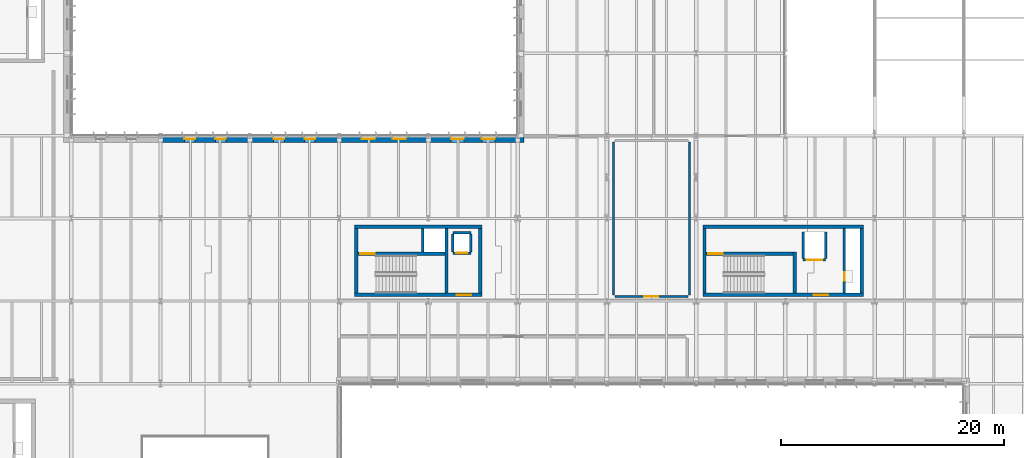
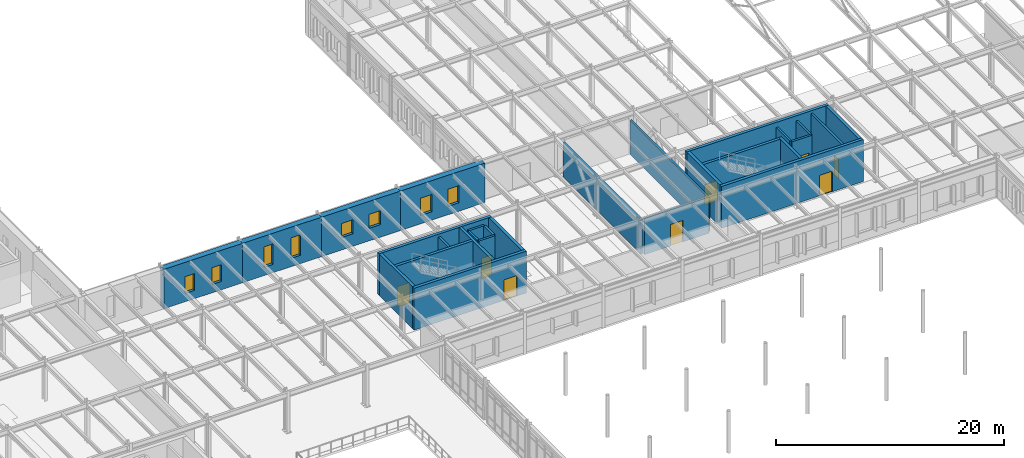
# One storey, part 48 of 75: 28 walls, 8 doors, 8 windows, 16 openings.
"""IFC4 building model written with IfcOpenShell, lengths in metres."""

from ifc_helpers import new_model, si_unit, direction, frame, frame_2d, origin, place, context, subcontext, project, spatial, rectangle, extrude, material, layer, layer_set, type_object, element, fill, save


model = new_model("IFC4")

# Units and contexts
model_context = context("Model", 3, precision=1e-05, world=origin(), true_north=direction((0.0, 1.0)))
body_context = subcontext(model_context, "Body", "Model", "MODEL_VIEW")
ifc_project = project(units=[si_unit("LENGTHUNIT", "METRE"), si_unit("AREAUNIT", "SQUARE_METRE"), si_unit("VOLUMEUNIT", "CUBIC_METRE"), si_unit("PLANEANGLEUNIT", "RADIAN"), si_unit("MASSUNIT", "GRAM", prefix="KILO")], contexts=[model_context])

# Site, building, storey
site_placement = place(None, origin())
site = spatial("IfcSite", under=ifc_project, at=site_placement, CompositionType="ELEMENT")
building_placement = place(site_placement, origin())
building = spatial("IfcBuilding", under=site, at=building_placement, Name="Valkorina Park Police Headquarters", CompositionType="ELEMENT")
storey_placement = place(building_placement, frame((0.0, 0.0, 5.39990234375)))
storey = spatial("IfcBuildingStorey", under=building, at=storey_placement, Name="L02", CompositionType="ELEMENT", Elevation=5.39990234375)

# Wall, opening, door
ifc_material_1 = material(Name="Autoclaved aerated concrete masonry", Category="masonry")
ifc_layer_1 = layer(ifc_material_1, 0.219970703125)
ifc_layer_set_1 = layer_set([ifc_layer_1], Name="Autoclaved aerated concrete masonry")
wall_type_1 = type_object("IfcWallType", Name="WL-CHASE-220-EI60", PredefinedType="PLUMBINGWALL", material=ifc_layer_set_1)
wall_1_placement = place(storey_placement, frame((122.389892578125, 70.2900390625, 0.0), z_axis=(0.0, 0.0, 1.0), x_axis=(1.0, 0.0, 0.0)))
wall_1 = element("IfcWall", 1, at=wall_1_placement, inside=storey, type_object=wall_type_1, Name="Lift LF-07 L02 Shaft Front Wall", PredefinedType="PLUMBINGWALL", context=body_context, shape_type="SweptSolid", body=[
    extrude(rectangle(XDim=2.02001953125, YDim=0.219970703125, at=frame_2d((1.010009765625, 0.0))), origin(), (0.0, 0.0, 1.0), 4.2001953125),
])
opening_1_placement = place(wall_1_placement, frame((0.31005859375, 0.0, 0.0)))
opening_1 = element("IfcOpeningElement", 2, at=opening_1_placement, cuts=wall_1, Name="Opening LD-04", PredefinedType="OPENING", context=body_context, shape_type="SweptSolid", body=[
    extrude(rectangle(XDim=1.39990234375, YDim=2.39990234375, at=frame_2d((0.699951171875, 1.199951171875))), frame((0.0, 0.1201171875, 0.0), z_axis=(0.0, -1.0, 0.0), x_axis=(1.0, 0.0, 0.0)), (0.0, 0.0, 1.0), 0.239990234375),
])
ifc_material_2 = material(Name="Stainless steel EN 1.4404", Category="steel")
ifc_layer_2 = layer(ifc_material_2, 0.050048828125)
ifc_layer_set_2 = layer_set([ifc_layer_2], Name="Stainless steel EN 1.4404")
door_type_1 = type_object("IfcDoorType", Name="DR-LIFT-GOODS-1400x2400", OperationType="NOTDEFINED", PredefinedType="DOOR", material=ifc_layer_set_2)
door_1_placement = place(opening_1_placement, origin())
door_1 = element("IfcDoor", 3, at=door_1_placement, inside=storey, type_object=door_type_1, Name="Lift Landing Door LF-07-L02", OperationType="DOUBLE_DOOR_SLIDING", OverallHeight=2.39990234375, OverallWidth=1.39990234375, PredefinedType="DOOR", context=body_context, shape_type="SweptSolid", body=[
    extrude(rectangle(XDim=1.39990234375, YDim=2.39990234375, at=frame_2d((0.699951171875, 1.199951171875))), frame((0.0, 0.02490234375, 0.0), z_axis=(0.0, -1.0, 0.0), x_axis=(1.0, 0.0, 0.0)), (0.0, 0.0, 1.0), 0.050048828125),
])
fill(opening_1, door_1)

# Walls
for number, where, z_axis, x_axis, name in (
    (4, (122.389892578125, 70.39990234375, 0.0), (0.0, 0.0, 1.0), (0.0, 1.0, 0.0), "Lift LF-07 L02 Shaft Side Wall W"),
    (5, (124.409912109375, 70.39990234375, 0.0), (0.0, 0.0, 1.0), (0.0, 1.0, 0.0), "Lift LF-07 L02 Shaft Side Wall E"),
):
    element("IfcWall", number, at=place(storey_placement, frame(where, z_axis=z_axis, x_axis=x_axis)), inside=storey, type_object=wall_type_1, Name=name, PredefinedType="PLUMBINGWALL", context=body_context, shape_type="SweptSolid", body=[
        extrude(rectangle(XDim=2.400146484375, YDim=0.219970703125, at=frame_2d((1.2001953125, 0.0))), origin(), (0.0, 0.0, 1.0), 4.2001953125),
    ])

# Wall, opening, door
wall_2_placement = place(storey_placement, frame((126.090087890625, 67.300048828125, 0.0), z_axis=(0.0, 0.0, 1.0), x_axis=(0.0, 1.0, 0.0)))
wall_2 = element("IfcWall", 6, at=wall_2_placement, inside=storey, type_object=wall_type_1, Name="Core C5 L02 Riser Shaft West Wall", PredefinedType="PLUMBINGWALL", context=body_context, shape_type="SweptSolid", body=[
    extrude(rectangle(XDim=5.800048828125, YDim=0.219970703125, at=frame_2d((2.89990234375, 0.0))), origin(), (0.0, 0.0, 1.0), 4.2001953125),
])
opening_2_placement = place(wall_2_placement, frame((1.10009765625, 0.0, 0.0)))
opening_2 = element("IfcOpeningElement", 7, at=opening_2_placement, cuts=wall_2, Name="Opening ID-01", PredefinedType="OPENING", context=body_context, shape_type="SweptSolid", body=[
    extrude(rectangle(XDim=0.800048828125, YDim=2.10009765625, at=frame_2d((0.39990234375, 1.050048828125))), frame((0.0, 0.1201171875, 0.0), z_axis=(0.0, -1.0, 0.0), x_axis=(1.0, 0.0, 0.0)), (0.0, 0.0, 1.0), 0.239990234375),
])
ifc_material_3 = material(Name="Galvanized steel door leaf", Category="steel")
ifc_layer_3 = layer(ifc_material_3, 0.050048828125)
ifc_layer_set_3 = layer_set([ifc_layer_3], Name="Galvanized steel door leaf")
door_type_2 = type_object("IfcDoorType", Name="DR-INT-RISER-800x2100", OperationType="NOTDEFINED", PredefinedType="DOOR", material=ifc_layer_set_3)
door_2_placement = place(opening_2_placement, origin())
door_2 = element("IfcDoor", 8, at=door_2_placement, inside=storey, type_object=door_type_2, Name="Riser Shaft Access Door C5-L02", OperationType="SINGLE_SWING_RIGHT", OverallHeight=2.10009765625, OverallWidth=0.800048828125, PredefinedType="DOOR", context=body_context, shape_type="SweptSolid", body=[
    extrude(rectangle(XDim=0.800048828125, YDim=2.10009765625, at=frame_2d((0.39990234375, 1.050048828125))), frame((0.0, 0.02490234375, 0.0), z_axis=(0.0, -1.0, 0.0), x_axis=(1.0, 0.0, 0.0)), (0.0, 0.0, 1.0), 0.050048828125),
])
fill(opening_2, door_2)

wall_3_placement = place(storey_placement, frame((90.989990234375, 70.889892578125, 0.0), z_axis=(0.0, 0.0, 1.0), x_axis=(1.0, 0.0, 0.0)))
wall_3 = element("IfcWall", 9, at=wall_3_placement, inside=storey, type_object=wall_type_1, Name="Lift LF-08 L02 Shaft Front Wall", PredefinedType="PLUMBINGWALL", context=body_context, shape_type="SweptSolid", body=[
    extrude(rectangle(XDim=1.6201171875, YDim=0.219970703125, at=frame_2d((0.81005859375, 0.0))), origin(), (0.0, 0.0, 1.0), 4.2001953125),
])
opening_3_placement = place(wall_3_placement, frame((0.31005859375, 0.0, 0.0)))
opening_3 = element("IfcOpeningElement", 10, at=opening_3_placement, cuts=wall_3, Name="Opening LD-02", PredefinedType="OPENING", context=body_context, shape_type="SweptSolid", body=[
    extrude(rectangle(XDim=1.0, YDim=2.199951171875, at=frame_2d((0.5, 1.10009765625))), frame((0.0, 0.1201171875, 0.0), z_axis=(0.0, -1.0, 0.0), x_axis=(1.0, 0.0, 0.0)), (0.0, 0.0, 1.0), 0.239990234375),
])
ifc_layer_4 = layer(ifc_material_2, 0.050048828125)
ifc_layer_set_4 = layer_set([ifc_layer_4], Name="Stainless steel EN 1.4404")
door_type_3 = type_object("IfcDoorType", Name="DR-LIFT-PAX-1000x2200", OperationType="NOTDEFINED", PredefinedType="DOOR", material=ifc_layer_set_4)
door_3_placement = place(opening_3_placement, origin())
door_3 = element("IfcDoor", 11, at=door_3_placement, inside=storey, type_object=door_type_3, Name="Lift Landing Door LF-08-L02", OperationType="DOUBLE_DOOR_SLIDING", OverallHeight=2.199951171875, OverallWidth=1.0, PredefinedType="DOOR", context=body_context, shape_type="SweptSolid", body=[
    extrude(rectangle(XDim=1.0, YDim=2.199951171875, at=frame_2d((0.5, 1.10009765625))), frame((0.0, 0.02490234375, 0.0), z_axis=(0.0, -1.0, 0.0), x_axis=(1.0, 0.0, 0.0)), (0.0, 0.0, 1.0), 0.050048828125),
])
fill(opening_3, door_3)

# Walls
wall_4_placement = place(storey_placement, frame((90.989990234375, 72.7099609375, 0.0), z_axis=(0.0, 0.0, 1.0), x_axis=(1.0, 0.0, 0.0)))
element("IfcWall", 12, at=wall_4_placement, inside=storey, type_object=wall_type_1, Name="Lift LF-08 L02 Shaft Back Wall", PredefinedType="PLUMBINGWALL", context=body_context, shape_type="SweptSolid", body=[
    extrude(rectangle(XDim=1.6201171875, YDim=0.219970703125, at=frame_2d((0.81005859375, 0.0))), origin(), (0.0, 0.0, 1.0), 4.2001953125),
])
for number, where, z_axis, x_axis, name in (
    (13, (90.989990234375, 71.0, 0.0), (0.0, 0.0, 1.0), (0.0, 1.0, 0.0), "Lift LF-08 L02 Shaft Side Wall W"),
    (14, (92.610107421875, 71.0, 0.0), (0.0, 0.0, 1.0), (0.0, 1.0, 0.0), "Lift LF-08 L02 Shaft Side Wall E"),
):
    element("IfcWall", number, at=place(storey_placement, frame(where, z_axis=z_axis, x_axis=x_axis)), inside=storey, type_object=wall_type_1, Name=name, PredefinedType="PLUMBINGWALL", context=body_context, shape_type="SweptSolid", body=[
        extrude(rectangle(XDim=1.60009765625, YDim=0.219970703125, at=frame_2d((0.800048828125, 0.0))), origin(), (0.0, 0.0, 1.0), 4.2001953125),
    ])
wall_5_placement = place(storey_placement, frame((88.2900390625, 70.97998046875, 0.0), z_axis=(0.0, 0.0, 1.0), x_axis=(0.0, 1.0, 0.0)))
element("IfcWall", 15, at=wall_5_placement, inside=storey, type_object=wall_type_1, Name="Core C6 L02 Riser Shaft West Wall", PredefinedType="PLUMBINGWALL", context=body_context, shape_type="SweptSolid", body=[
    extrude(rectangle(XDim=2.1201171875, YDim=0.219970703125, at=frame_2d((1.06005859375, 0.0))), origin(), (0.0, 0.0, 1.0), 4.2001953125),
])

# Wall, opening, door
ifc_material_4 = material(Name="Concrete C40/50", Category="concrete")
ifc_layer_5 = layer(ifc_material_4, 0.300048828125)
ifc_layer_set_5 = layer_set([ifc_layer_5], Name="Concrete C40/50")
wall_type_2 = type_object("IfcWallType", Name="WL-CORE-300-REI120", PredefinedType="SHEAR", material=ifc_layer_set_5)
wall_6_placement = place(storey_placement, frame((113.39990234375, 67.14990234375, 0.0), z_axis=(0.0, 0.0, 1.0), x_axis=(1.0, 0.0, 0.0)))
wall_6 = element("IfcWall", 16, at=wall_6_placement, inside=storey, type_object=wall_type_2, Name="Core C5 L02 Shear Wall S", PredefinedType="SHEAR", context=body_context, shape_type="SweptSolid", body=[
    extrude(rectangle(XDim=14.400146484375, YDim=0.300048828125, at=frame_2d((7.2001953125, 0.0))), origin(), (0.0, 0.0, 1.0), 4.4951171875),
])
opening_4_placement = place(wall_6_placement, frame((9.949951171875, 0.0, 0.0)))
opening_4 = element("IfcOpeningElement", 17, at=opening_4_placement, cuts=wall_6, Name="Opening FD-03", PredefinedType="OPENING", context=body_context, shape_type="SweptSolid", body=[
    extrude(rectangle(XDim=1.300048828125, YDim=2.199951171875, at=frame_2d((0.64990234375, 1.10009765625))), frame((0.0, 0.16015625, 0.0), z_axis=(0.0, -1.0, 0.0), x_axis=(1.0, 0.0, 0.0)), (0.0, 0.0, 1.0), 0.320068359375),
])
ifc_layer_6 = layer(ifc_material_3, 0.050048828125)
ifc_layer_set_6 = layer_set([ifc_layer_6], Name="Galvanized steel door leaf")
door_type_4 = type_object("IfcDoorType", Name="DR-FIRE-STAIR-1300x2200", OperationType="NOTDEFINED", PredefinedType="DOOR", material=ifc_layer_set_6)
door_4_placement = place(opening_4_placement, origin())
door_4 = element("IfcDoor", 18, at=door_4_placement, inside=storey, type_object=door_type_4, Name="Door D-L02-LBY-C5 (Core C5 Lobby Fire Door)", OperationType="SINGLE_SWING_LEFT", OverallHeight=2.199951171875, OverallWidth=1.300048828125, PredefinedType="DOOR", context=body_context, shape_type="SweptSolid", body=[
    extrude(rectangle(XDim=1.300048828125, YDim=2.199951171875, at=frame_2d((0.64990234375, 1.10009765625))), frame((0.0, 0.02490234375, 0.0), z_axis=(0.0, -1.0, 0.0), x_axis=(1.0, 0.0, 0.0)), (0.0, 0.0, 1.0), 0.050048828125),
])
fill(opening_4, door_4)

# Walls
wall_7_placement = place(storey_placement, frame((113.39990234375, 73.25, 0.0), z_axis=(0.0, 0.0, 1.0), x_axis=(1.0, 0.0, 0.0)))
element("IfcWall", 19, at=wall_7_placement, inside=storey, type_object=wall_type_2, Name="Core C5 L02 Shear Wall N", PredefinedType="SHEAR", context=body_context, shape_type="SweptSolid", body=[
    extrude(rectangle(XDim=14.400146484375, YDim=0.300048828125, at=frame_2d((7.2001953125, 0.0))), origin(), (0.0, 0.0, 1.0), 4.4951171875),
])
for number, where, z_axis, x_axis, name in (
    (20, (113.550048828125, 67.300048828125, 0.0), (0.0, 0.0, 1.0), (0.0, 1.0, 0.0), "Core C5 L02 Shear Wall W"),
    (21, (127.64990234375, 67.300048828125, 0.0), (0.0, 0.0, 1.0), (0.0, 1.0, 0.0), "Core C5 L02 Shear Wall E"),
):
    element("IfcWall", number, at=place(storey_placement, frame(where, z_axis=z_axis, x_axis=x_axis)), inside=storey, type_object=wall_type_2, Name=name, PredefinedType="SHEAR", context=body_context, shape_type="SweptSolid", body=[
        extrude(rectangle(XDim=5.800048828125, YDim=0.300048828125, at=frame_2d((2.89990234375, 0.0))), origin(), (0.0, 0.0, 1.0), 4.4951171875),
    ])

# Wall, opening, door
wall_8_placement = place(storey_placement, frame((82.199951171875, 67.14990234375, 0.0), z_axis=(0.0, 0.0, 1.0), x_axis=(1.0, 0.0, 0.0)))
wall_8 = element("IfcWall", 22, at=wall_8_placement, inside=storey, type_object=wall_type_2, Name="Core C6 L02 Shear Wall S", PredefinedType="SHEAR", context=body_context, shape_type="SweptSolid", body=[
    extrude(rectangle(XDim=11.400146484375, YDim=0.300048828125, at=frame_2d((5.7001953125, 0.0))), origin(), (0.0, 0.0, 1.0), 4.4951171875),
])
opening_5_placement = place(wall_8_placement, frame((9.14990234375, 0.0, 0.0)))
opening_5 = element("IfcOpeningElement", 23, at=opening_5_placement, cuts=wall_8, Name="Opening FD-03", PredefinedType="OPENING", context=body_context, shape_type="SweptSolid", body=[
    extrude(rectangle(XDim=1.300048828125, YDim=2.199951171875, at=frame_2d((0.64990234375, 1.10009765625))), frame((0.0, 0.16015625, 0.0), z_axis=(0.0, -1.0, 0.0), x_axis=(1.0, 0.0, 0.0)), (0.0, 0.0, 1.0), 0.320068359375),
])
door_5_placement = place(opening_5_placement, origin())
door_5 = element("IfcDoor", 24, at=door_5_placement, inside=storey, type_object=door_type_4, Name="Door D-L02-LBY-C6 (Core C6 Lobby Fire Door)", OperationType="SINGLE_SWING_RIGHT", OverallHeight=2.199951171875, OverallWidth=1.300048828125, PredefinedType="DOOR", context=body_context, shape_type="SweptSolid", body=[
    extrude(rectangle(XDim=1.300048828125, YDim=2.199951171875, at=frame_2d((0.64990234375, 1.10009765625))), frame((0.0, 0.02490234375, 0.0), z_axis=(0.0, -1.0, 0.0), x_axis=(1.0, 0.0, 0.0)), (0.0, 0.0, 1.0), 0.050048828125),
])
fill(opening_5, door_5)

# Walls
wall_9_placement = place(storey_placement, frame((82.199951171875, 73.25, 0.0), z_axis=(0.0, 0.0, 1.0), x_axis=(1.0, 0.0, 0.0)))
element("IfcWall", 25, at=wall_9_placement, inside=storey, type_object=wall_type_2, Name="Core C6 L02 Shear Wall N", PredefinedType="SHEAR", context=body_context, shape_type="SweptSolid", body=[
    extrude(rectangle(XDim=11.400146484375, YDim=0.300048828125, at=frame_2d((5.7001953125, 0.0))), origin(), (0.0, 0.0, 1.0), 4.4951171875),
])
for number, where, z_axis, x_axis, name in (
    (26, (82.35009765625, 67.300048828125, 0.0), (0.0, 0.0, 1.0), (0.0, 1.0, 0.0), "Core C6 L02 Shear Wall W"),
    (27, (93.449951171875, 67.300048828125, 0.0), (0.0, 0.0, 1.0), (0.0, 1.0, 0.0), "Core C6 L02 Shear Wall E"),
):
    element("IfcWall", number, at=place(storey_placement, frame(where, z_axis=z_axis, x_axis=x_axis)), inside=storey, type_object=wall_type_2, Name=name, PredefinedType="SHEAR", context=body_context, shape_type="SweptSolid", body=[
        extrude(rectangle(XDim=5.800048828125, YDim=0.300048828125, at=frame_2d((2.89990234375, 0.0))), origin(), (0.0, 0.0, 1.0), 4.4951171875),
    ])

# Wall, opening, door
ifc_layer_7 = layer(ifc_material_1, 0.199951171875)
ifc_layer_set_7 = layer_set([ifc_layer_7], Name="Autoclaved aerated concrete masonry")
wall_type_3 = type_object("IfcWallType", Name="WL-CORR-200-EI60", PredefinedType="STANDARD", material=ifc_layer_set_7)
wall_10_placement = place(storey_placement, frame((105.5400390625, 67.0, 0.0), z_axis=(0.0, 0.0, 1.0), x_axis=(1.0, 0.0, 0.0)))
wall_10 = element("IfcWall", 28, at=wall_10_placement, inside=storey, type_object=wall_type_3, Name="L02 Interior Partition 0144 (L02-IT-02)", PredefinedType="STANDARD", context=body_context, shape_type="SweptSolid", body=[
    extrude(rectangle(XDim=6.52001953125, YDim=0.199951171875, at=frame_2d((3.260009765625, 0.0))), origin(), (0.0, 0.0, 1.0), 3.860107421875),
])
opening_6_placement = place(wall_10_placement, frame((2.635009765625, 0.0, 0.0)))
opening_6 = element("IfcOpeningElement", 29, at=opening_6_placement, cuts=wall_10, Name="Opening FD-06", PredefinedType="OPENING", context=body_context, shape_type="SweptSolid", body=[
    extrude(rectangle(XDim=1.25, YDim=2.300048828125, at=frame_2d((0.625, 1.14990234375))), frame((0.0, 0.10986328125, 0.0), z_axis=(0.0, -1.0, 0.0), x_axis=(1.0, 0.0, 0.0)), (0.0, 0.0, 1.0), 0.219970703125),
])
ifc_layer_8 = layer(ifc_material_3, 0.050048828125)
ifc_layer_set_8 = layer_set([ifc_layer_8], Name="Galvanized steel door leaf")
door_type_5 = type_object("IfcDoorType", Name="DR-FIRE-LAB-1250x2300", OperationType="NOTDEFINED", PredefinedType="DOOR", material=ifc_layer_set_8)
door_6_placement = place(opening_6_placement, origin())
door_6 = element("IfcDoor", 30, at=door_6_placement, inside=storey, type_object=door_type_5, Name="Door D-L02-I066 (L02-IT-02)", OperationType="SINGLE_SWING_LEFT", OverallHeight=2.300048828125, OverallWidth=1.25, PredefinedType="DOOR", context=body_context, shape_type="SweptSolid", body=[
    extrude(rectangle(XDim=1.25, YDim=2.300048828125, at=frame_2d((0.625, 1.14990234375))), frame((0.0, 0.02490234375, 0.0), z_axis=(0.0, -1.0, 0.0), x_axis=(1.0, 0.0, 0.0)), (0.0, 0.0, 1.0), 0.050048828125),
])
fill(opening_6, door_6)

# Walls
for number, where, z_axis, x_axis, name in (
    (31, (105.39990234375, 67.139892578125, 0.0), (0.0, 0.0, 1.0), (0.0, 1.0, 0.0), "L02 Interior Partition 0146 (L02-IT-02)"),
    (32, (112.199951171875, 67.139892578125, 0.0), (0.0, 0.0, 1.0), (0.0, 1.0, 0.0), "L02 Interior Partition 0147 (L02-IT-02)"),
):
    element("IfcWall", number, at=place(storey_placement, frame(where, z_axis=z_axis, x_axis=x_axis)), inside=storey, type_object=wall_type_3, Name=name, PredefinedType="STANDARD", context=body_context, shape_type="SweptSolid", body=[
        extrude(rectangle(XDim=13.72021484375, YDim=0.199951171875, at=frame_2d((6.860107421875, 0.0))), origin(), (0.0, 0.0, 1.0), 3.670166015625),
    ])

# Wall, openings, windows
ifc_material_5 = material(Name="Concrete C35/45", Category="concrete")
ifc_layer_9 = layer(ifc_material_5, 0.580078125)
ifc_layer_set_9 = layer_set([ifc_layer_9], Name="Concrete C35/45")
wall_type_4 = type_object("IfcWallType", Name="WL-EXT-BOARD-580", PredefinedType="STANDARD", material=ifc_layer_set_9)
wall_11_placement = place(storey_placement, frame((64.800048828125, 81.110107421875, 0.0), z_axis=(0.0, 0.0, 1.0), x_axis=(1.0, 0.0, 0.0)))
wall_11 = element("IfcWall", 33, at=wall_11_placement, inside=storey, type_object=wall_type_4, Name="L02 Architectural Concrete Exterior Wall 0136", PredefinedType="STANDARD", context=body_context, shape_type="SweptSolid", body=[
    extrude(rectangle(XDim=8.0, YDim=0.580078125, at=frame_2d((4.0, 0.0))), origin(), (0.0, 0.0, 1.0), 4.239990234375),
])
opening_7_placement = place(wall_11_placement, frame((2.142578125, 0.0, 0.89990234375)))
opening_7 = element("IfcOpeningElement", 34, at=opening_7_placement, cuts=wall_11, Name="Opening WN-17", PredefinedType="OPENING", context=body_context, shape_type="SweptSolid", body=[
    extrude(rectangle(XDim=0.949951171875, YDim=1.800048828125, at=frame_2d((0.47509765625, 0.89990234375))), frame((0.0, 0.300048828125, 0.0), z_axis=(0.0, -1.0, 0.0), x_axis=(1.0, 0.0, 0.0)), (0.0, 0.0, 1.0), 0.60009765625),
])
opening_8_placement = place(wall_11_placement, frame((4.907470703125, 0.0, 0.89990234375)))
opening_8 = element("IfcOpeningElement", 35, at=opening_8_placement, cuts=wall_11, Name="Opening WN-17", PredefinedType="OPENING", context=body_context, shape_type="SweptSolid", body=[
    extrude(rectangle(XDim=0.949951171875, YDim=1.800048828125, at=frame_2d((0.47509765625, 0.89990234375))), frame((0.0, 0.300048828125, 0.0), z_axis=(0.0, -1.0, 0.0), x_axis=(1.0, 0.0, 0.0)), (0.0, 0.0, 1.0), 0.60009765625),
])
ifc_material_6 = material(Name="Triple low-E insulated glazing", Category="glass")
ifc_layer_10 = layer(ifc_material_6, 0.06005859375)
ifc_layer_set_10 = layer_set([ifc_layer_10], Name="Triple low-E insulated glazing")
window_type_1 = type_object("IfcWindowType", Name="WN-SLOT-950x1800", PartitioningType="SINGLE_PANEL", PredefinedType="WINDOW", material=ifc_layer_set_10)
window_1_placement = place(opening_7_placement, origin())
window_1 = element("IfcWindow", 36, at=window_1_placement, inside=storey, type_object=window_type_1, Name="Window L02-0224", OverallHeight=1.800048828125, OverallWidth=0.949951171875, PartitioningType="SINGLE_PANEL", PredefinedType="WINDOW", context=body_context, shape_type="SweptSolid", body=[
    extrude(rectangle(XDim=0.949951171875, YDim=1.800048828125, at=frame_2d((0.47509765625, 0.89990234375))), frame((0.0, 0.030029296875, 0.0), z_axis=(0.0, -1.0, 0.0), x_axis=(1.0, 0.0, 0.0)), (0.0, 0.0, 1.0), 0.06005859375),
])
fill(opening_7, window_1)
window_2_placement = place(opening_8_placement, origin())
window_2 = element("IfcWindow", 37, at=window_2_placement, inside=storey, type_object=window_type_1, Name="Window L02-0225", OverallHeight=1.800048828125, OverallWidth=0.949951171875, PartitioningType="SINGLE_PANEL", PredefinedType="WINDOW", context=body_context, shape_type="SweptSolid", body=[
    extrude(rectangle(XDim=0.949951171875, YDim=1.800048828125, at=frame_2d((0.47509765625, 0.89990234375))), frame((0.0, 0.030029296875, 0.0), z_axis=(0.0, -1.0, 0.0), x_axis=(1.0, 0.0, 0.0)), (0.0, 0.0, 1.0), 0.06005859375),
])
fill(opening_8, window_2)

wall_12_placement = place(storey_placement, frame((72.800048828125, 81.110107421875, 0.0), z_axis=(0.0, 0.0, 1.0), x_axis=(1.0, 0.0, 0.0)))
wall_12 = element("IfcWall", 38, at=wall_12_placement, inside=storey, type_object=wall_type_4, Name="L02 Architectural Concrete Exterior Wall 0137", PredefinedType="STANDARD", context=body_context, shape_type="SweptSolid", body=[
    extrude(rectangle(XDim=8.0, YDim=0.580078125, at=frame_2d((4.0, 0.0))), origin(), (0.0, 0.0, 1.0), 4.239990234375),
])
opening_9_placement = place(wall_12_placement, frame((2.142578125, 0.0, 0.89990234375)))
opening_9 = element("IfcOpeningElement", 39, at=opening_9_placement, cuts=wall_12, Name="Opening WN-18", PredefinedType="OPENING", context=body_context, shape_type="SweptSolid", body=[
    extrude(rectangle(XDim=0.949951171875, YDim=2.199951171875, at=frame_2d((0.47509765625, 1.10009765625))), frame((0.0, 0.300048828125, 0.0), z_axis=(0.0, -1.0, 0.0), x_axis=(1.0, 0.0, 0.0)), (0.0, 0.0, 1.0), 0.60009765625),
])
opening_10_placement = place(wall_12_placement, frame((4.907470703125, 0.0, 0.89990234375)))
opening_10 = element("IfcOpeningElement", 40, at=opening_10_placement, cuts=wall_12, Name="Opening WN-18", PredefinedType="OPENING", context=body_context, shape_type="SweptSolid", body=[
    extrude(rectangle(XDim=0.949951171875, YDim=2.199951171875, at=frame_2d((0.47509765625, 1.10009765625))), frame((0.0, 0.300048828125, 0.0), z_axis=(0.0, -1.0, 0.0), x_axis=(1.0, 0.0, 0.0)), (0.0, 0.0, 1.0), 0.60009765625),
])
ifc_layer_11 = layer(ifc_material_6, 0.06005859375)
ifc_layer_set_11 = layer_set([ifc_layer_11], Name="Triple low-E insulated glazing")
window_type_2 = type_object("IfcWindowType", Name="WN-SLOT-950x2200", PartitioningType="SINGLE_PANEL", PredefinedType="WINDOW", material=ifc_layer_set_11)
window_3_placement = place(opening_9_placement, origin())
window_3 = element("IfcWindow", 41, at=window_3_placement, inside=storey, type_object=window_type_2, Name="Window L02-0226", OverallHeight=2.199951171875, OverallWidth=0.949951171875, PartitioningType="SINGLE_PANEL", PredefinedType="WINDOW", context=body_context, shape_type="SweptSolid", body=[
    extrude(rectangle(XDim=0.949951171875, YDim=2.199951171875, at=frame_2d((0.47509765625, 1.10009765625))), frame((0.0, 0.030029296875, 0.0), z_axis=(0.0, -1.0, 0.0), x_axis=(1.0, 0.0, 0.0)), (0.0, 0.0, 1.0), 0.06005859375),
])
fill(opening_9, window_3)
window_4_placement = place(opening_10_placement, origin())
window_4 = element("IfcWindow", 42, at=window_4_placement, inside=storey, type_object=window_type_2, Name="Window L02-0227", OverallHeight=2.199951171875, OverallWidth=0.949951171875, PartitioningType="SINGLE_PANEL", PredefinedType="WINDOW", context=body_context, shape_type="SweptSolid", body=[
    extrude(rectangle(XDim=0.949951171875, YDim=2.199951171875, at=frame_2d((0.47509765625, 1.10009765625))), frame((0.0, 0.030029296875, 0.0), z_axis=(0.0, -1.0, 0.0), x_axis=(1.0, 0.0, 0.0)), (0.0, 0.0, 1.0), 0.06005859375),
])
fill(opening_10, window_4)

wall_13_placement = place(storey_placement, frame((80.800048828125, 81.110107421875, 0.0), z_axis=(0.0, 0.0, 1.0), x_axis=(1.0, 0.0, 0.0)))
wall_13 = element("IfcWall", 43, at=wall_13_placement, inside=storey, type_object=wall_type_4, Name="L02 Architectural Concrete Exterior Wall 0138", PredefinedType="STANDARD", context=body_context, shape_type="SweptSolid", body=[
    extrude(rectangle(XDim=8.0, YDim=0.580078125, at=frame_2d((4.0, 0.0))), origin(), (0.0, 0.0, 1.0), 4.239990234375),
])
opening_11_placement = place(wall_13_placement, frame((2.04248046875, 0.0, 1.35009765625)))
opening_11 = element("IfcOpeningElement", 44, at=opening_11_placement, cuts=wall_13, Name="Opening WN-19", PredefinedType="OPENING", context=body_context, shape_type="SweptSolid", body=[
    extrude(rectangle(XDim=1.14990234375, YDim=1.5, at=frame_2d((0.574951171875, 0.75))), frame((0.0, 0.300048828125, 0.0), z_axis=(0.0, -1.0, 0.0), x_axis=(1.0, 0.0, 0.0)), (0.0, 0.0, 1.0), 0.60009765625),
])
opening_12_placement = place(wall_13_placement, frame((4.807373046875, 0.0, 1.35009765625)))
opening_12 = element("IfcOpeningElement", 45, at=opening_12_placement, cuts=wall_13, Name="Opening WN-19", PredefinedType="OPENING", context=body_context, shape_type="SweptSolid", body=[
    extrude(rectangle(XDim=1.14990234375, YDim=1.5, at=frame_2d((0.574951171875, 0.75))), frame((0.0, 0.300048828125, 0.0), z_axis=(0.0, -1.0, 0.0), x_axis=(1.0, 0.0, 0.0)), (0.0, 0.0, 1.0), 0.60009765625),
])
ifc_layer_12 = layer(ifc_material_6, 0.06005859375)
ifc_layer_set_12 = layer_set([ifc_layer_12], Name="Triple low-E insulated glazing")
window_type_3 = type_object("IfcWindowType", Name="WN-LAB-1150x1500", PartitioningType="SINGLE_PANEL", PredefinedType="WINDOW", material=ifc_layer_set_12)
window_5_placement = place(opening_11_placement, origin())
window_5 = element("IfcWindow", 46, at=window_5_placement, inside=storey, type_object=window_type_3, Name="Window L02-0228", OverallHeight=1.5, OverallWidth=1.14990234375, PartitioningType="SINGLE_PANEL", PredefinedType="WINDOW", context=body_context, shape_type="SweptSolid", body=[
    extrude(rectangle(XDim=1.14990234375, YDim=1.5, at=frame_2d((0.574951171875, 0.75))), frame((0.0, 0.030029296875, 0.0), z_axis=(0.0, -1.0, 0.0), x_axis=(1.0, 0.0, 0.0)), (0.0, 0.0, 1.0), 0.06005859375),
])
fill(opening_11, window_5)
window_6_placement = place(opening_12_placement, origin())
window_6 = element("IfcWindow", 47, at=window_6_placement, inside=storey, type_object=window_type_3, Name="Window L02-0229", OverallHeight=1.5, OverallWidth=1.14990234375, PartitioningType="SINGLE_PANEL", PredefinedType="WINDOW", context=body_context, shape_type="SweptSolid", body=[
    extrude(rectangle(XDim=1.14990234375, YDim=1.5, at=frame_2d((0.574951171875, 0.75))), frame((0.0, 0.030029296875, 0.0), z_axis=(0.0, -1.0, 0.0), x_axis=(1.0, 0.0, 0.0)), (0.0, 0.0, 1.0), 0.06005859375),
])
fill(opening_12, window_6)

wall_14_placement = place(storey_placement, frame((88.800048828125, 81.110107421875, 0.0), z_axis=(0.0, 0.0, 1.0), x_axis=(1.0, 0.0, 0.0)))
wall_14 = element("IfcWall", 48, at=wall_14_placement, inside=storey, type_object=wall_type_4, Name="L02 Architectural Concrete Exterior Wall 0139", PredefinedType="STANDARD", context=body_context, shape_type="SweptSolid", body=[
    extrude(rectangle(XDim=8.579833984375, YDim=0.580078125, at=frame_2d((4.2900390625, 0.0))), origin(), (0.0, 0.0, 1.0), 4.239990234375),
])
opening_13_placement = place(wall_14_placement, frame((2.04248046875, 0.0, 0.89990234375)))
opening_13 = element("IfcOpeningElement", 49, at=opening_13_placement, cuts=wall_14, Name="Opening WN-20", PredefinedType="OPENING", context=body_context, shape_type="SweptSolid", body=[
    extrude(rectangle(XDim=1.14990234375, YDim=1.85009765625, at=frame_2d((0.574951171875, 0.925048828125))), frame((0.0, 0.300048828125, 0.0), z_axis=(0.0, -1.0, 0.0), x_axis=(1.0, 0.0, 0.0)), (0.0, 0.0, 1.0), 0.60009765625),
])
opening_14_placement = place(wall_14_placement, frame((4.807373046875, 0.0, 0.89990234375)))
opening_14 = element("IfcOpeningElement", 50, at=opening_14_placement, cuts=wall_14, Name="Opening WN-20", PredefinedType="OPENING", context=body_context, shape_type="SweptSolid", body=[
    extrude(rectangle(XDim=1.14990234375, YDim=1.85009765625, at=frame_2d((0.574951171875, 0.925048828125))), frame((0.0, 0.300048828125, 0.0), z_axis=(0.0, -1.0, 0.0), x_axis=(1.0, 0.0, 0.0)), (0.0, 0.0, 1.0), 0.60009765625),
])
ifc_layer_13 = layer(ifc_material_6, 0.06005859375)
ifc_layer_set_13 = layer_set([ifc_layer_13], Name="Triple low-E insulated glazing")
window_type_4 = type_object("IfcWindowType", Name="WN-LAB-1150x1850", PartitioningType="SINGLE_PANEL", PredefinedType="WINDOW", material=ifc_layer_set_13)
window_7_placement = place(opening_13_placement, origin())
window_7 = element("IfcWindow", 51, at=window_7_placement, inside=storey, type_object=window_type_4, Name="Window L02-0230", OverallHeight=1.85009765625, OverallWidth=1.14990234375, PartitioningType="SINGLE_PANEL", PredefinedType="WINDOW", context=body_context, shape_type="SweptSolid", body=[
    extrude(rectangle(XDim=1.14990234375, YDim=1.85009765625, at=frame_2d((0.574951171875, 0.925048828125))), frame((0.0, 0.030029296875, 0.0), z_axis=(0.0, -1.0, 0.0), x_axis=(1.0, 0.0, 0.0)), (0.0, 0.0, 1.0), 0.06005859375),
])
fill(opening_13, window_7)
window_8_placement = place(opening_14_placement, origin())
window_8 = element("IfcWindow", 52, at=window_8_placement, inside=storey, type_object=window_type_4, Name="Window L02-0231", OverallHeight=1.85009765625, OverallWidth=1.14990234375, PartitioningType="SINGLE_PANEL", PredefinedType="WINDOW", context=body_context, shape_type="SweptSolid", body=[
    extrude(rectangle(XDim=1.14990234375, YDim=1.85009765625, at=frame_2d((0.574951171875, 0.925048828125))), frame((0.0, 0.030029296875, 0.0), z_axis=(0.0, -1.0, 0.0), x_axis=(1.0, 0.0, 0.0)), (0.0, 0.0, 1.0), 0.06005859375),
])
fill(opening_14, window_8)

# Wall
ifc_layer_14 = layer(ifc_material_4, 0.280029296875)
ifc_layer_set_14 = layer_set([ifc_layer_14], Name="Concrete C40/50")
wall_type_5 = type_object("IfcWallType", Name="WL-STAIR-280-REI120", PredefinedType="SHEAR", material=ifc_layer_set_14)
wall_15_placement = place(storey_placement, frame((121.639892578125, 67.300048828125, 0.0), z_axis=(0.0, 0.0, 1.0), x_axis=(0.0, 1.0, 0.0)))
element("IfcWall", 53, at=wall_15_placement, inside=storey, type_object=wall_type_5, Name="Core C5 L02 Shear Wall DIV", PredefinedType="SHEAR", context=body_context, shape_type="SweptSolid", body=[
    extrude(rectangle(XDim=3.679931640625, YDim=0.280029296875, at=frame_2d((1.83984375, 0.0))), origin(), (0.0, 0.0, 1.0), 4.4951171875),
])

# Wall, opening, door
wall_16_placement = place(storey_placement, frame((113.699951171875, 70.840087890625, 0.0), z_axis=(0.0, 0.0, 1.0), x_axis=(1.0, 0.0, 0.0)))
wall_16 = element("IfcWall", 54, at=wall_16_placement, inside=storey, type_object=wall_type_5, Name="Core C5 L02 Shear Wall SIDE", PredefinedType="SHEAR", context=body_context, shape_type="SweptSolid", body=[
    extrude(rectangle(XDim=7.800048828125, YDim=0.280029296875, at=frame_2d((3.89990234375, 0.0))), origin(), (0.0, 0.0, 1.0), 4.4951171875),
])
opening_15_placement = place(wall_16_placement, frame((0.199951171875, 0.0, 0.0)))
opening_15 = element("IfcOpeningElement", 55, at=opening_15_placement, cuts=wall_16, Name="Opening FD-03", PredefinedType="OPENING", context=body_context, shape_type="SweptSolid", body=[
    extrude(rectangle(XDim=1.300048828125, YDim=2.199951171875, at=frame_2d((0.64990234375, 1.10009765625))), frame((0.0, 0.14990234375, 0.0), z_axis=(0.0, -1.0, 0.0), x_axis=(1.0, 0.0, 0.0)), (0.0, 0.0, 1.0), 0.300048828125),
])
door_7_placement = place(opening_15_placement, origin())
door_7 = element("IfcDoor", 56, at=door_7_placement, inside=storey, type_object=door_type_4, Name="Door D-L02-C147 (ST-05 Stair Fire Door)", OperationType="SINGLE_SWING_RIGHT", OverallHeight=2.199951171875, OverallWidth=1.300048828125, PredefinedType="DOOR", context=body_context, shape_type="SweptSolid", body=[
    extrude(rectangle(XDim=1.300048828125, YDim=2.199951171875, at=frame_2d((0.64990234375, 1.10009765625))), frame((0.0, 0.02490234375, 0.0), z_axis=(0.0, -1.0, 0.0), x_axis=(1.0, 0.0, 0.0)), (0.0, 0.0, 1.0), 0.050048828125),
])
fill(opening_15, door_7)

# Wall
wall_17_placement = place(storey_placement, frame((90.43994140625, 67.300048828125, 0.0), z_axis=(0.0, 0.0, 1.0), x_axis=(0.0, 1.0, 0.0)))
element("IfcWall", 57, at=wall_17_placement, inside=storey, type_object=wall_type_5, Name="Core C6 L02 Shear Wall DIV", PredefinedType="SHEAR", context=body_context, shape_type="SweptSolid", body=[
    extrude(rectangle(XDim=5.800048828125, YDim=0.280029296875, at=frame_2d((2.89990234375, 0.0))), origin(), (0.0, 0.0, 1.0), 4.4951171875),
])

# Wall, opening, door
wall_18_placement = place(storey_placement, frame((82.5, 70.840087890625, 0.0), z_axis=(0.0, 0.0, 1.0), x_axis=(1.0, 0.0, 0.0)))
wall_18 = element("IfcWall", 58, at=wall_18_placement, inside=storey, type_object=wall_type_5, Name="Core C6 L02 Shear Wall SIDE", PredefinedType="SHEAR", context=body_context, shape_type="SweptSolid", body=[
    extrude(rectangle(XDim=7.800048828125, YDim=0.280029296875, at=frame_2d((3.89990234375, 0.0))), origin(), (0.0, 0.0, 1.0), 4.4951171875),
])
opening_16_placement = place(wall_18_placement, frame((0.199951171875, 0.0, 0.0)))
opening_16 = element("IfcOpeningElement", 59, at=opening_16_placement, cuts=wall_18, Name="Opening FD-03", PredefinedType="OPENING", context=body_context, shape_type="SweptSolid", body=[
    extrude(rectangle(XDim=1.300048828125, YDim=2.199951171875, at=frame_2d((0.64990234375, 1.10009765625))), frame((0.0, 0.14990234375, 0.0), z_axis=(0.0, -1.0, 0.0), x_axis=(1.0, 0.0, 0.0)), (0.0, 0.0, 1.0), 0.300048828125),
])
door_8_placement = place(opening_16_placement, origin())
door_8 = element("IfcDoor", 60, at=door_8_placement, inside=storey, type_object=door_type_4, Name="Door D-L02-C165 (ST-06 Stair Fire Door)", OperationType="SINGLE_SWING_RIGHT", OverallHeight=2.199951171875, OverallWidth=1.300048828125, PredefinedType="DOOR", context=body_context, shape_type="SweptSolid", body=[
    extrude(rectangle(XDim=1.300048828125, YDim=2.199951171875, at=frame_2d((0.64990234375, 1.10009765625))), frame((0.0, 0.02490234375, 0.0), z_axis=(0.0, -1.0, 0.0), x_axis=(1.0, 0.0, 0.0)), (0.0, 0.0, 1.0), 0.050048828125),
])
fill(opening_16, door_8)

save(model, "model.ifc")
